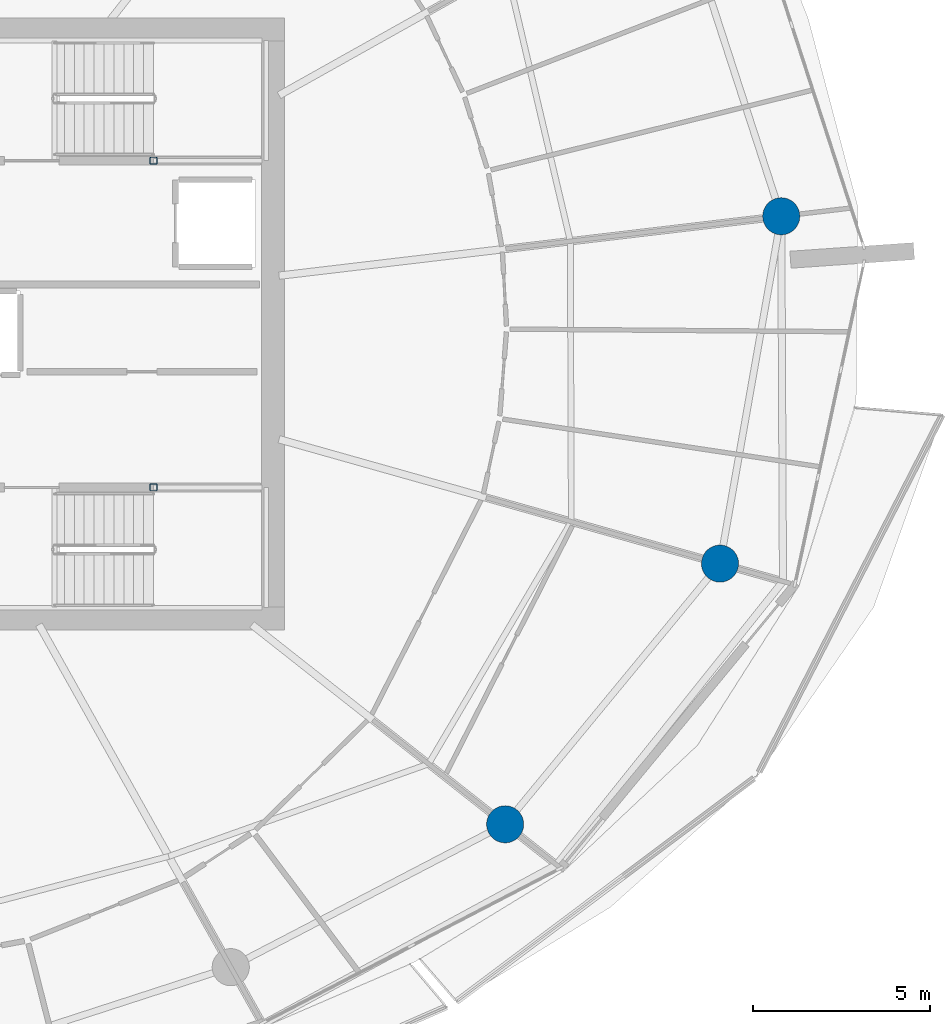
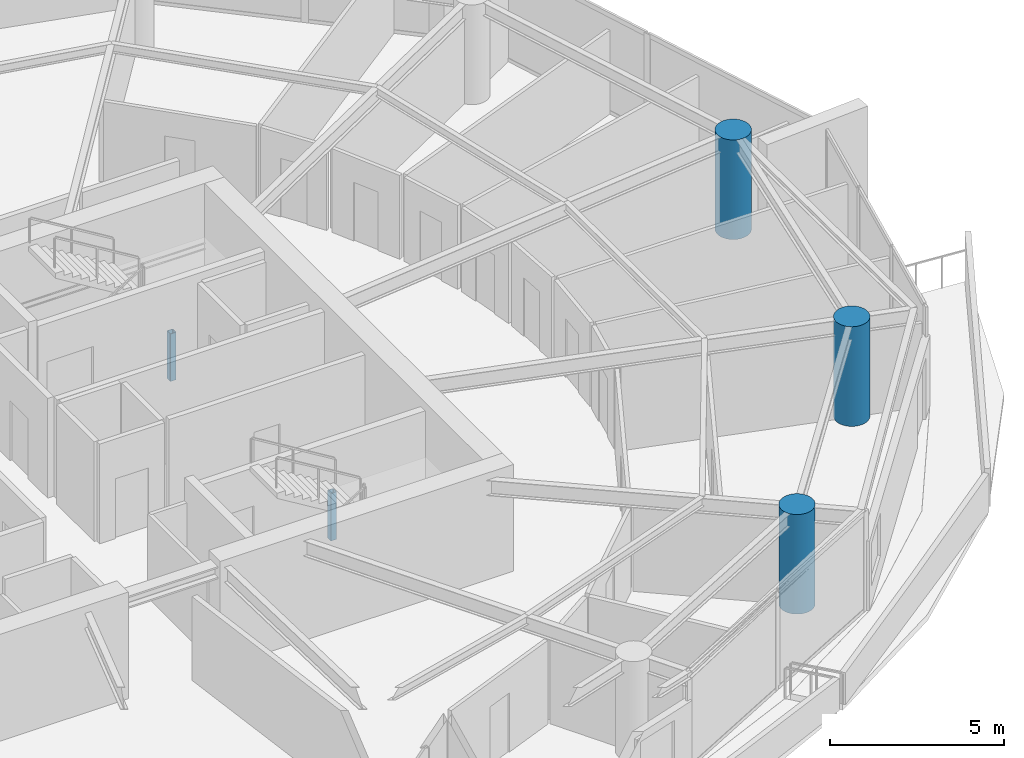
# One storey, part 3 of 20: 5 columns.
"""IFC4 building model written with IfcOpenShell, lengths in metres."""

from ifc_helpers import new_model, si_unit, direction, frame, origin, origin_2d, place, context, subcontext, project, spatial, hollow_rectangle, circle, extrude, material, material_profile, profile_set, type_object, element, save


model = new_model("IFC4")

# Units and contexts
model_context = context("Model", 3, precision=1e-05, world=origin(), true_north=direction((0.0, 1.0)))
body_context = subcontext(model_context, "Body", "Model", "MODEL_VIEW")
ifc_project = project(units=[si_unit("LENGTHUNIT", "METRE"), si_unit("AREAUNIT", "SQUARE_METRE"), si_unit("VOLUMEUNIT", "CUBIC_METRE"), si_unit("PLANEANGLEUNIT", "RADIAN"), si_unit("MASSUNIT", "GRAM", prefix="KILO")], contexts=[model_context])

# Site, building, storey
site_placement = place(None, origin())
site = spatial("IfcSite", under=ifc_project, at=site_placement, CompositionType="ELEMENT")
building_placement = place(site_placement, origin())
building = spatial("IfcBuilding", under=site, at=building_placement, Name="Kazma Halo Residences", CompositionType="ELEMENT")
storey_placement = place(building_placement, frame((0.0, 0.0, 206.550048828125)))
storey = spatial("IfcBuildingStorey", under=building, at=storey_placement, Name="L52", CompositionType="ELEMENT", Elevation=206.550048828125)

# Columns
ifc_material_1 = material(Name="Steel S355", Category="steel")
ifc_material_profile_1 = material_profile(ifc_material_1, hollow_rectangle(XDim=0.199951171875, YDim=0.199951171875, WallThickness=0.010009765625, InnerFilletRadius=0.010009765625, OuterFilletRadius=0.02001953125, at=origin_2d()), Name="SHS200x200x10")
ifc_profile_set_1 = profile_set([ifc_material_profile_1], Name="Steel S355")
column_type_1 = type_object("IfcColumnType", Name="COL-LP-SHS200", PredefinedType="COLUMN", material=ifc_profile_set_1)
for number, where, z_axis, x_axis, name in (
    (1, (56.0, 46.6201171875, 0.0), (0.0, 0.0, 1.0), (1.0, 0.0, 0.0), "L52 ST-02 landing pilaster 1"),
    (2, (56.0, 37.3798828125, 0.0), (0.0, 0.0, 1.0), (1.0, 0.0, 0.0), "L52 ST-03 landing pilaster 1"),
):
    element("IfcColumn", number, at=place(storey_placement, frame(where, z_axis=z_axis, x_axis=x_axis)), inside=storey, type_object=column_type_1, Name=name, PredefinedType="COLUMN", context=body_context, shape_type="SweptSolid", body=[
        extrude(hollow_rectangle(XDim=0.199951171875, YDim=0.199951171875, WallThickness=0.010009765625, InnerFilletRadius=0.010009765625, OuterFilletRadius=0.02001953125, at=origin_2d()), origin(), (0.0, 0.0, 1.0), 1.669921875),
    ])
ifc_material_2 = material(Name="Concrete C80/95", Category="concrete")
ifc_material_profile_2 = material_profile(ifc_material_2, circle(Radius=0.52490234375, at=origin_2d()), Name="CIRC1050")
ifc_profile_set_2 = profile_set([ifc_material_profile_2], Name="Concrete C80/95")
column_type_2 = type_object("IfcColumnType", Name="COL-PERIM-1050", PredefinedType="COLUMN", material=ifc_profile_set_2)
for number, where, z_axis, x_axis, name in (
    (3, (65.944091796875, 27.85400390625, 0.0), (0.0, 0.0, 1.0), (1.0, 0.0, 0.0), "L52 perimeter ring column P14"),
    (4, (72.019775390625, 35.2255859375, 0.0), (0.0, 0.0, 1.0), (1.0, 0.0, 0.0), "L52 perimeter ring column P15"),
    (5, (73.751708984375, 45.0478515625, 0.0), (0.0, 0.0, 1.0), (1.0, 0.0, 0.0), "L52 perimeter ring column P16"),
):
    element("IfcColumn", number, at=place(storey_placement, frame(where, z_axis=z_axis, x_axis=x_axis)), inside=storey, type_object=column_type_2, Name=name, PredefinedType="COLUMN", context=body_context, shape_type="SweptSolid", body=[
        extrude(circle(Radius=0.52490234375, at=origin_2d()), origin(), (0.0, 0.0, 1.0), 3.5),
    ])

save(model, "model.ifc")
